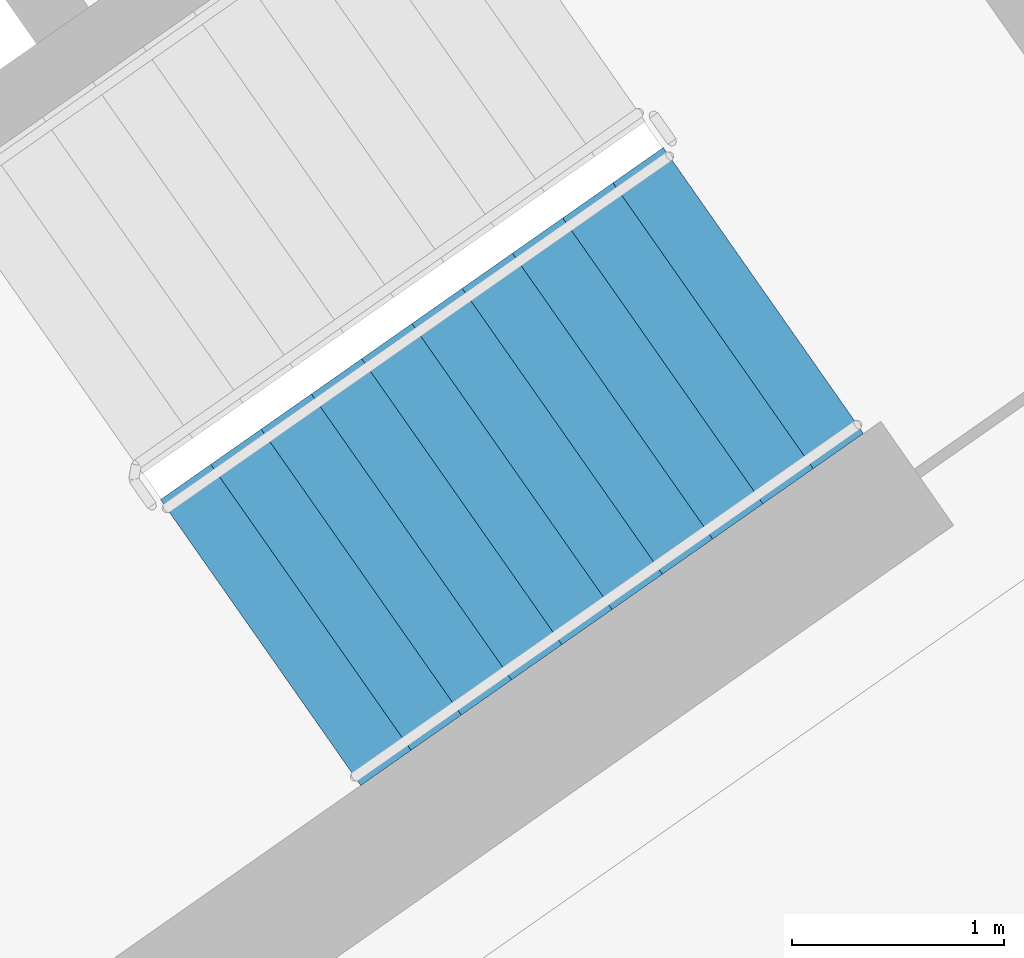
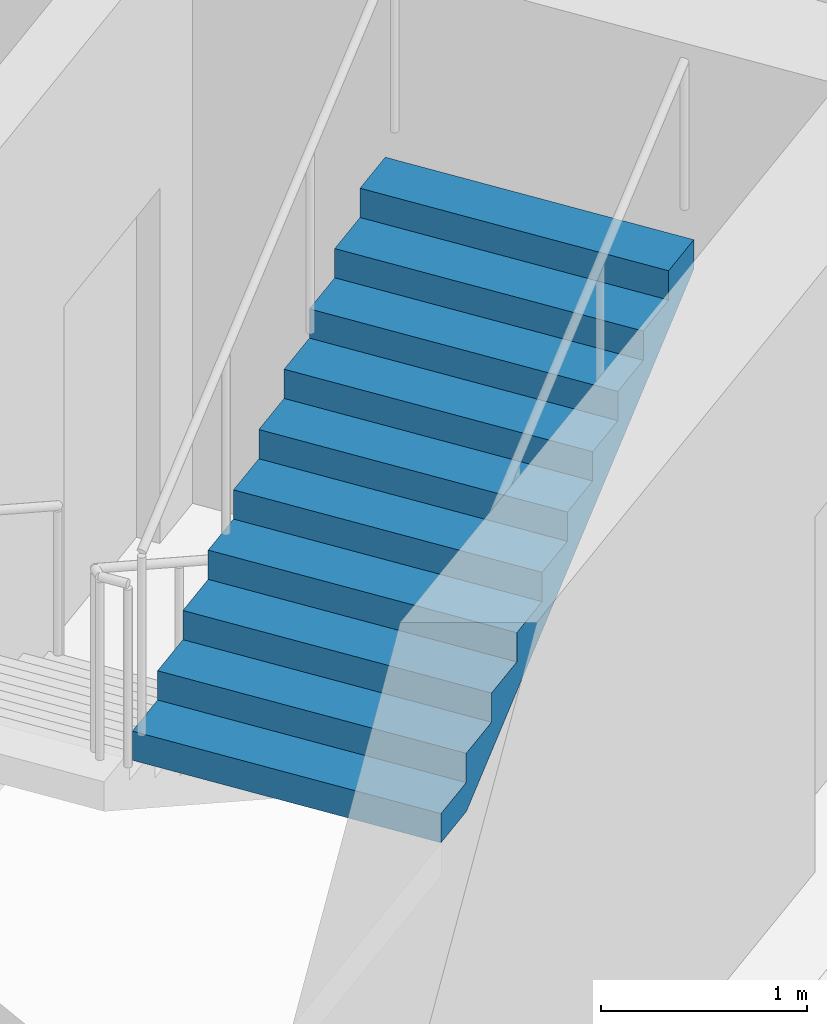
# One storey, part 13 of 29: 1 stair flight, 1 element without a shape of its own.
"""IFC4 building model written with IfcOpenShell, lengths in metres."""

from ifc_helpers import new_model, si_unit, direction, frame, origin, place, context, subcontext, project, spatial, faceted_brep, material, type_object, element, aggregate, save


model = new_model("IFC4")

# Units and contexts
model_context = context("Model", 3, precision=1e-05, world=origin(), true_north=direction((0.0, 1.0)))
body_context = subcontext(model_context, "Body", "Model", "MODEL_VIEW")
ifc_project = project(units=[si_unit("LENGTHUNIT", "METRE"), si_unit("AREAUNIT", "SQUARE_METRE"), si_unit("VOLUMEUNIT", "CUBIC_METRE"), si_unit("PLANEANGLEUNIT", "RADIAN"), si_unit("MASSUNIT", "GRAM", prefix="KILO")], contexts=[model_context])

# Site, building, storey
site_placement = place(None, origin())
site = spatial("IfcSite", under=ifc_project, at=site_placement, CompositionType="ELEMENT")
building_placement = place(site_placement, origin())
building = spatial("IfcBuilding", under=site, at=building_placement, Name="Qamariyya Broadcast Tower", CompositionType="ELEMENT")
storey_placement = place(building_placement, frame((0.0, 0.0, 207.5)))
storey = spatial("IfcBuildingStorey", under=building, at=storey_placement, Name="L49", CompositionType="ELEMENT", Elevation=207.5)

# Stair, stair flight
ifc_material = material(Name="Concrete C50/60", Category="concrete")
stair_type = type_object("IfcStairType", Name="Exit stair 22 risers of 173 mm", PredefinedType="HALF_TURN_STAIR", material=ifc_material)
stair_placement = place(storey_placement, origin())
stair = element("IfcStair", 1, at=stair_placement, inside=storey, type_object=stair_type, Name="L49 Stair E1", PredefinedType="HALF_TURN_STAIR")
stair_flight_type = type_object("IfcStairFlightType", Name="Exit stair flight 11 risers of 173 mm", PredefinedType="STRAIGHT", material=ifc_material)
stair_flight_placement = place(storey_placement, frame((44.693359375, -58.64599609375, 1.89990234375), z_axis=(0.0, 0.0, 1.0), x_axis=(0.819152044289, 0.573576436351, 0.0)))
stair_flight = element("IfcStairFlight", 2, at=stair_flight_placement, type_object=stair_flight_type, Name="ST-E1 flight 2", NumberOfRisers=11, NumberOfTreads=10, PredefinedType="STRAIGHT", RiserHeight=0.172727273, TreadLength=0.29, context=body_context, shape_type="Brep", body=[
    faceted_brep([(0.0, 0.824951171875, 0.0), (0.0, 0.824951171875, 0.172607421875), (0.2900390625, 0.824951171875, 0.172607421875), (0.2900390625, 0.824951171875, 0.345458984375), (0.580078125, 0.824951171875, 0.345458984375), (0.580078125, 0.824951171875, 0.51806640625), (0.8701171875, 0.824951171875, 0.51806640625), (0.8701171875, 0.824951171875, 0.69091796875), (1.159912109375, 0.824951171875, 0.69091796875), (1.159912109375, 0.824951171875, 0.863525390625), (1.449951171875, 0.824951171875, 0.863525390625), (1.449951171875, 0.824951171875, 1.036376953125), (1.739990234375, 0.824951171875, 1.036376953125), (1.739990234375, 0.824951171875, 1.208984375), (2.030029296875, 0.824951171875, 1.208984375), (2.030029296875, 0.824951171875, 1.3818359375), (2.320068359375, 0.824951171875, 1.3818359375), (2.320068359375, 0.824951171875, 1.554443359375), (2.610107421875, 0.824951171875, 1.554443359375), (2.610107421875, 0.824951171875, 1.727294921875), (2.89990234375, 0.824951171875, 1.727294921875), (2.89990234375, 0.824951171875, 1.552734375), (0.29296875, 0.824951171875, 0.0), (0.29296875, -0.824951171875, 0.0), (2.89990234375, -0.824951171875, 1.552734375), (2.89990234375, -0.824951171875, 1.727294921875), (2.610107421875, -0.824951171875, 1.727294921875), (2.610107421875, -0.824951171875, 1.554443359375), (2.320068359375, -0.824951171875, 1.554443359375), (2.320068359375, -0.824951171875, 1.3818359375), (2.030029296875, -0.824951171875, 1.3818359375), (2.030029296875, -0.824951171875, 1.208984375), (1.739990234375, -0.824951171875, 1.208984375), (1.739990234375, -0.824951171875, 1.036376953125), (1.449951171875, -0.824951171875, 1.036376953125), (1.449951171875, -0.824951171875, 0.863525390625), (1.159912109375, -0.824951171875, 0.863525390625), (1.159912109375, -0.824951171875, 0.69091796875), (0.8701171875, -0.824951171875, 0.69091796875), (0.8701171875, -0.824951171875, 0.51806640625), (0.580078125, -0.824951171875, 0.51806640625), (0.580078125, -0.824951171875, 0.345458984375), (0.2900390625, -0.824951171875, 0.345458984375), (0.2900390625, -0.824951171875, 0.172607421875), (0.0, -0.824951171875, 0.172607421875), (0.0, -0.824951171875, 0.0), (0.0, 0.10009765625, 0.0), (0.0, 0.086669921875, 0.0), (0.0, 0.0732421875, 0.0), (0.0, 0.06005859375, 0.0), (0.0, 0.046630859375, 0.0), (0.0, 0.033447265625, 0.0), (0.0, 0.02001953125, 0.0), (0.0, 0.006591796875, 0.0), (0.0, -0.006591796875, 0.0), (0.0, -0.02001953125, 0.0), (0.0, -0.033447265625, 0.0), (0.0, -0.046630859375, 0.0), (0.0, -0.06005859375, 0.0), (0.0, -0.0732421875, 0.0), (0.0, -0.086669921875, 0.0), (0.0, -0.10009765625, 0.0), (0.0, -0.10009765625, 0.172607421875), (0.0, -0.086669921875, 0.172607421875), (0.0, -0.0732421875, 0.172607421875), (0.0, -0.06005859375, 0.172607421875), (0.0, -0.046630859375, 0.172607421875), (0.0, -0.033447265625, 0.172607421875), (0.0, -0.02001953125, 0.172607421875), (0.0, -0.006591796875, 0.172607421875), (0.0, 0.006591796875, 0.172607421875), (0.0, 0.02001953125, 0.172607421875), (0.0, 0.033447265625, 0.172607421875), (0.0, 0.046630859375, 0.172607421875), (0.0, 0.06005859375, 0.172607421875), (0.0, 0.0732421875, 0.172607421875), (0.0, 0.086669921875, 0.172607421875), (0.0, 0.10009765625, 0.172607421875), (0.2900390625, -0.10009765625, 0.172607421875), (0.2900390625, -0.086669921875, 0.172607421875), (0.2900390625, -0.0732421875, 0.172607421875), (0.2900390625, -0.06005859375, 0.172607421875), (0.2900390625, -0.046630859375, 0.172607421875), (0.2900390625, -0.033447265625, 0.172607421875), (0.2900390625, -0.02001953125, 0.172607421875), (0.2900390625, -0.006591796875, 0.172607421875), (0.2900390625, 0.006591796875, 0.172607421875), (0.2900390625, 0.02001953125, 0.172607421875), (0.2900390625, 0.033447265625, 0.172607421875), (0.2900390625, 0.046630859375, 0.172607421875), (0.2900390625, 0.06005859375, 0.172607421875), (0.2900390625, 0.0732421875, 0.172607421875), (0.2900390625, 0.086669921875, 0.172607421875), (0.2900390625, 0.10009765625, 0.172607421875), (0.2900390625, -0.10009765625, 0.345458984375), (0.2900390625, -0.086669921875, 0.345458984375), (0.2900390625, -0.0732421875, 0.345458984375), (0.2900390625, -0.06005859375, 0.345458984375), (0.2900390625, -0.046630859375, 0.345458984375), (0.2900390625, -0.033447265625, 0.345458984375), (0.2900390625, -0.02001953125, 0.345458984375), (0.2900390625, -0.006591796875, 0.345458984375), (0.2900390625, 0.006591796875, 0.345458984375), (0.2900390625, 0.02001953125, 0.345458984375), (0.2900390625, 0.033447265625, 0.345458984375), (0.2900390625, 0.046630859375, 0.345458984375), (0.2900390625, 0.06005859375, 0.345458984375), (0.2900390625, 0.0732421875, 0.345458984375), (0.2900390625, 0.086669921875, 0.345458984375), (0.2900390625, 0.10009765625, 0.345458984375), (0.580078125, -0.10009765625, 0.345458984375), (0.580078125, -0.086669921875, 0.345458984375), (0.580078125, -0.0732421875, 0.345458984375), (0.580078125, -0.06005859375, 0.345458984375), (0.580078125, -0.046630859375, 0.345458984375), (0.580078125, -0.033447265625, 0.345458984375), (0.580078125, -0.02001953125, 0.345458984375), (0.580078125, -0.006591796875, 0.345458984375), (0.580078125, 0.006591796875, 0.345458984375), (0.580078125, 0.02001953125, 0.345458984375), (0.580078125, 0.033447265625, 0.345458984375), (0.580078125, 0.046630859375, 0.345458984375), (0.580078125, 0.06005859375, 0.345458984375), (0.580078125, 0.0732421875, 0.345458984375), (0.580078125, 0.086669921875, 0.345458984375), (0.580078125, 0.10009765625, 0.345458984375), (0.580078125, -0.10009765625, 0.51806640625), (0.580078125, -0.086669921875, 0.51806640625), (0.580078125, -0.0732421875, 0.51806640625), (0.580078125, -0.06005859375, 0.51806640625), (0.580078125, -0.046630859375, 0.51806640625), (0.580078125, -0.033447265625, 0.51806640625), (0.580078125, -0.02001953125, 0.51806640625), (0.580078125, -0.006591796875, 0.51806640625), (0.580078125, 0.006591796875, 0.51806640625), (0.580078125, 0.02001953125, 0.51806640625), (0.580078125, 0.033447265625, 0.51806640625), (0.580078125, 0.046630859375, 0.51806640625), (0.580078125, 0.06005859375, 0.51806640625), (0.580078125, 0.0732421875, 0.51806640625), (0.580078125, 0.086669921875, 0.51806640625), (0.580078125, 0.10009765625, 0.51806640625), (0.8701171875, -0.10009765625, 0.51806640625), (0.8701171875, -0.086669921875, 0.51806640625), (0.8701171875, -0.0732421875, 0.51806640625), (0.8701171875, -0.06005859375, 0.51806640625), (0.8701171875, -0.046630859375, 0.51806640625), (0.8701171875, -0.033447265625, 0.51806640625), (0.8701171875, -0.02001953125, 0.51806640625), (0.8701171875, -0.006591796875, 0.51806640625), (0.8701171875, 0.006591796875, 0.51806640625), (0.8701171875, 0.02001953125, 0.51806640625), (0.8701171875, 0.033447265625, 0.51806640625), (0.8701171875, 0.046630859375, 0.51806640625), (0.8701171875, 0.06005859375, 0.51806640625), (0.8701171875, 0.0732421875, 0.51806640625), (0.8701171875, 0.086669921875, 0.51806640625), (0.8701171875, 0.10009765625, 0.51806640625), (0.8701171875, -0.10009765625, 0.69091796875), (0.8701171875, -0.086669921875, 0.69091796875), (0.8701171875, -0.0732421875, 0.69091796875), (0.8701171875, -0.06005859375, 0.69091796875), (0.8701171875, -0.046630859375, 0.69091796875), (0.8701171875, -0.033447265625, 0.69091796875), (0.8701171875, -0.02001953125, 0.69091796875), (0.8701171875, -0.006591796875, 0.69091796875), (0.8701171875, 0.006591796875, 0.69091796875), (0.8701171875, 0.02001953125, 0.69091796875), (0.8701171875, 0.033447265625, 0.69091796875), (0.8701171875, 0.046630859375, 0.69091796875), (0.8701171875, 0.06005859375, 0.69091796875), (0.8701171875, 0.0732421875, 0.69091796875), (0.8701171875, 0.086669921875, 0.69091796875), (0.8701171875, 0.10009765625, 0.69091796875), (1.159912109375, -0.10009765625, 0.69091796875), (1.159912109375, -0.086669921875, 0.69091796875), (1.159912109375, -0.0732421875, 0.69091796875), (1.159912109375, -0.06005859375, 0.69091796875), (1.159912109375, -0.046630859375, 0.69091796875), (1.159912109375, -0.033447265625, 0.69091796875), (1.159912109375, -0.02001953125, 0.69091796875), (1.159912109375, -0.006591796875, 0.69091796875), (1.159912109375, 0.006591796875, 0.69091796875), (1.159912109375, 0.02001953125, 0.69091796875), (1.159912109375, 0.033447265625, 0.69091796875), (1.159912109375, 0.046630859375, 0.69091796875), (1.159912109375, 0.06005859375, 0.69091796875), (1.159912109375, 0.0732421875, 0.69091796875), (1.159912109375, 0.086669921875, 0.69091796875), (1.159912109375, 0.10009765625, 0.69091796875), (1.159912109375, -0.10009765625, 0.863525390625), (1.159912109375, -0.086669921875, 0.863525390625), (1.159912109375, -0.0732421875, 0.863525390625), (1.159912109375, -0.06005859375, 0.863525390625), (1.159912109375, -0.046630859375, 0.863525390625), (1.159912109375, -0.033447265625, 0.863525390625), (1.159912109375, -0.02001953125, 0.863525390625), (1.159912109375, -0.006591796875, 0.863525390625), (1.159912109375, 0.006591796875, 0.863525390625), (1.159912109375, 0.02001953125, 0.863525390625), (1.159912109375, 0.033447265625, 0.863525390625), (1.159912109375, 0.046630859375, 0.863525390625), (1.159912109375, 0.06005859375, 0.863525390625), (1.159912109375, 0.0732421875, 0.863525390625), (1.159912109375, 0.086669921875, 0.863525390625), (1.159912109375, 0.10009765625, 0.863525390625), (1.449951171875, -0.10009765625, 0.863525390625), (1.449951171875, -0.086669921875, 0.863525390625), (1.449951171875, -0.0732421875, 0.863525390625), (1.449951171875, -0.06005859375, 0.863525390625), (1.449951171875, -0.046630859375, 0.863525390625), (1.449951171875, -0.033447265625, 0.863525390625), (1.449951171875, -0.02001953125, 0.863525390625), (1.449951171875, -0.006591796875, 0.863525390625), (1.449951171875, 0.006591796875, 0.863525390625), (1.449951171875, 0.02001953125, 0.863525390625), (1.449951171875, 0.033447265625, 0.863525390625), (1.449951171875, 0.046630859375, 0.863525390625), (1.449951171875, 0.06005859375, 0.863525390625), (1.449951171875, 0.0732421875, 0.863525390625), (1.449951171875, 0.086669921875, 0.863525390625), (1.449951171875, 0.10009765625, 0.863525390625), (1.449951171875, -0.10009765625, 1.036376953125), (1.449951171875, -0.086669921875, 1.036376953125), (1.449951171875, -0.0732421875, 1.036376953125), (1.449951171875, -0.06005859375, 1.036376953125), (1.449951171875, -0.046630859375, 1.036376953125), (1.449951171875, -0.033447265625, 1.036376953125), (1.449951171875, -0.02001953125, 1.036376953125), (1.449951171875, -0.006591796875, 1.036376953125), (1.449951171875, 0.006591796875, 1.036376953125), (1.449951171875, 0.02001953125, 1.036376953125), (1.449951171875, 0.033447265625, 1.036376953125), (1.449951171875, 0.046630859375, 1.036376953125), (1.449951171875, 0.06005859375, 1.036376953125), (1.449951171875, 0.0732421875, 1.036376953125), (1.449951171875, 0.086669921875, 1.036376953125), (1.449951171875, 0.10009765625, 1.036376953125), (1.739990234375, -0.10009765625, 1.036376953125), (1.739990234375, -0.086669921875, 1.036376953125), (1.739990234375, -0.0732421875, 1.036376953125), (1.739990234375, -0.06005859375, 1.036376953125), (1.739990234375, -0.046630859375, 1.036376953125), (1.739990234375, -0.033447265625, 1.036376953125), (1.739990234375, -0.02001953125, 1.036376953125), (1.739990234375, -0.006591796875, 1.036376953125), (1.739990234375, 0.006591796875, 1.036376953125), (1.739990234375, 0.02001953125, 1.036376953125), (1.739990234375, 0.033447265625, 1.036376953125), (1.739990234375, 0.046630859375, 1.036376953125), (1.739990234375, 0.06005859375, 1.036376953125), (1.739990234375, 0.0732421875, 1.036376953125), (1.739990234375, 0.086669921875, 1.036376953125), (1.739990234375, 0.10009765625, 1.036376953125), (1.739990234375, -0.10009765625, 1.208984375), (1.739990234375, -0.086669921875, 1.208984375), (1.739990234375, -0.0732421875, 1.208984375), (1.739990234375, -0.06005859375, 1.208984375), (1.739990234375, -0.046630859375, 1.208984375), (1.739990234375, -0.033447265625, 1.208984375), (1.739990234375, -0.02001953125, 1.208984375), (1.739990234375, -0.006591796875, 1.208984375), (1.739990234375, 0.006591796875, 1.208984375), (1.739990234375, 0.02001953125, 1.208984375), (1.739990234375, 0.033447265625, 1.208984375), (1.739990234375, 0.046630859375, 1.208984375), (1.739990234375, 0.06005859375, 1.208984375), (1.739990234375, 0.0732421875, 1.208984375), (1.739990234375, 0.086669921875, 1.208984375), (1.739990234375, 0.10009765625, 1.208984375), (2.030029296875, -0.10009765625, 1.208984375), (2.030029296875, -0.086669921875, 1.208984375), (2.030029296875, -0.0732421875, 1.208984375), (2.030029296875, -0.06005859375, 1.208984375), (2.030029296875, -0.046630859375, 1.208984375), (2.030029296875, -0.033447265625, 1.208984375), (2.030029296875, -0.02001953125, 1.208984375), (2.030029296875, -0.006591796875, 1.208984375), (2.030029296875, 0.006591796875, 1.208984375), (2.030029296875, 0.02001953125, 1.208984375), (2.030029296875, 0.033447265625, 1.208984375), (2.030029296875, 0.046630859375, 1.208984375), (2.030029296875, 0.06005859375, 1.208984375), (2.030029296875, 0.0732421875, 1.208984375), (2.030029296875, 0.086669921875, 1.208984375), (2.030029296875, 0.10009765625, 1.208984375), (2.030029296875, -0.10009765625, 1.3818359375), (2.030029296875, -0.086669921875, 1.3818359375), (2.030029296875, -0.0732421875, 1.3818359375), (2.030029296875, -0.06005859375, 1.3818359375), (2.030029296875, -0.046630859375, 1.3818359375), (2.030029296875, -0.033447265625, 1.3818359375), (2.030029296875, -0.02001953125, 1.3818359375), (2.030029296875, -0.006591796875, 1.3818359375), (2.030029296875, 0.006591796875, 1.3818359375), (2.030029296875, 0.02001953125, 1.3818359375), (2.030029296875, 0.033447265625, 1.3818359375), (2.030029296875, 0.046630859375, 1.3818359375), (2.030029296875, 0.06005859375, 1.3818359375), (2.030029296875, 0.0732421875, 1.3818359375), (2.030029296875, 0.086669921875, 1.3818359375), (2.030029296875, 0.10009765625, 1.3818359375), (2.320068359375, -0.10009765625, 1.3818359375), (2.320068359375, -0.086669921875, 1.3818359375), (2.320068359375, -0.0732421875, 1.3818359375), (2.320068359375, -0.06005859375, 1.3818359375), (2.320068359375, -0.046630859375, 1.3818359375), (2.320068359375, -0.033447265625, 1.3818359375), (2.320068359375, -0.02001953125, 1.3818359375), (2.320068359375, -0.006591796875, 1.3818359375), (2.320068359375, 0.006591796875, 1.3818359375), (2.320068359375, 0.02001953125, 1.3818359375), (2.320068359375, 0.033447265625, 1.3818359375), (2.320068359375, 0.046630859375, 1.3818359375), (2.320068359375, 0.06005859375, 1.3818359375), (2.320068359375, 0.0732421875, 1.3818359375), (2.320068359375, 0.086669921875, 1.3818359375), (2.320068359375, 0.10009765625, 1.3818359375), (2.320068359375, -0.10009765625, 1.554443359375), (2.320068359375, -0.086669921875, 1.554443359375), (2.320068359375, -0.0732421875, 1.554443359375), (2.320068359375, -0.06005859375, 1.554443359375), (2.320068359375, -0.046630859375, 1.554443359375), (2.320068359375, -0.033447265625, 1.554443359375), (2.320068359375, -0.02001953125, 1.554443359375), (2.320068359375, -0.006591796875, 1.554443359375), (2.320068359375, 0.006591796875, 1.554443359375), (2.320068359375, 0.02001953125, 1.554443359375), (2.320068359375, 0.033447265625, 1.554443359375), (2.320068359375, 0.046630859375, 1.554443359375), (2.320068359375, 0.06005859375, 1.554443359375), (2.320068359375, 0.0732421875, 1.554443359375), (2.320068359375, 0.086669921875, 1.554443359375), (2.320068359375, 0.10009765625, 1.554443359375), (2.610107421875, -0.10009765625, 1.554443359375), (2.610107421875, -0.086669921875, 1.554443359375), (2.610107421875, -0.0732421875, 1.554443359375), (2.610107421875, -0.06005859375, 1.554443359375), (2.610107421875, -0.046630859375, 1.554443359375), (2.610107421875, -0.033447265625, 1.554443359375), (2.610107421875, -0.02001953125, 1.554443359375), (2.610107421875, -0.006591796875, 1.554443359375), (2.610107421875, 0.006591796875, 1.554443359375), (2.610107421875, 0.02001953125, 1.554443359375), (2.610107421875, 0.033447265625, 1.554443359375), (2.610107421875, 0.046630859375, 1.554443359375), (2.610107421875, 0.06005859375, 1.554443359375), (2.610107421875, 0.0732421875, 1.554443359375), (2.610107421875, 0.086669921875, 1.554443359375), (2.610107421875, 0.10009765625, 1.554443359375), (2.610107421875, -0.10009765625, 1.727294921875), (2.610107421875, -0.086669921875, 1.727294921875), (2.610107421875, -0.0732421875, 1.727294921875), (2.610107421875, -0.06005859375, 1.727294921875), (2.610107421875, -0.046630859375, 1.727294921875), (2.610107421875, -0.033447265625, 1.727294921875), (2.610107421875, -0.02001953125, 1.727294921875), (2.610107421875, -0.006591796875, 1.727294921875), (2.610107421875, 0.006591796875, 1.727294921875), (2.610107421875, 0.02001953125, 1.727294921875), (2.610107421875, 0.033447265625, 1.727294921875), (2.610107421875, 0.046630859375, 1.727294921875), (2.610107421875, 0.06005859375, 1.727294921875), (2.610107421875, 0.0732421875, 1.727294921875), (2.610107421875, 0.086669921875, 1.727294921875), (2.610107421875, 0.10009765625, 1.727294921875), (2.89990234375, -0.10009765625, 1.727294921875), (2.89990234375, -0.086669921875, 1.727294921875), (2.89990234375, -0.0732421875, 1.727294921875), (2.89990234375, -0.06005859375, 1.727294921875), (2.89990234375, -0.046630859375, 1.727294921875), (2.89990234375, -0.033447265625, 1.727294921875), (2.89990234375, -0.02001953125, 1.727294921875), (2.89990234375, -0.006591796875, 1.727294921875), (2.89990234375, 0.006591796875, 1.727294921875), (2.89990234375, 0.02001953125, 1.727294921875), (2.89990234375, 0.033447265625, 1.727294921875), (2.89990234375, 0.046630859375, 1.727294921875), (2.89990234375, 0.06005859375, 1.727294921875), (2.89990234375, 0.0732421875, 1.727294921875), (2.89990234375, 0.086669921875, 1.727294921875), (2.89990234375, 0.10009765625, 1.727294921875), (2.89990234375, -0.10009765625, 1.552734375), (2.89990234375, -0.086669921875, 1.552734375), (2.89990234375, -0.0732421875, 1.552734375), (2.89990234375, -0.06005859375, 1.552734375), (2.89990234375, -0.046630859375, 1.552734375), (2.89990234375, -0.033447265625, 1.552734375), (2.89990234375, -0.02001953125, 1.552734375), (2.89990234375, -0.006591796875, 1.552734375), (2.89990234375, 0.006591796875, 1.552734375), (2.89990234375, 0.02001953125, 1.552734375), (2.89990234375, 0.033447265625, 1.552734375), (2.89990234375, 0.046630859375, 1.552734375), (2.89990234375, 0.06005859375, 1.552734375), (2.89990234375, 0.0732421875, 1.552734375), (2.89990234375, 0.086669921875, 1.552734375), (2.89990234375, 0.10009765625, 1.552734375), (0.29296875, -0.10009765625, 0.0), (0.29296875, -0.086669921875, 0.0), (0.29296875, -0.0732421875, 0.0), (0.29296875, -0.06005859375, 0.0), (0.29296875, -0.046630859375, 0.0), (0.29296875, -0.033447265625, 0.0), (0.29296875, -0.02001953125, 0.0), (0.29296875, -0.006591796875, 0.0), (0.29296875, 0.006591796875, 0.0), (0.29296875, 0.02001953125, 0.0), (0.29296875, 0.033447265625, 0.0), (0.29296875, 0.046630859375, 0.0), (0.29296875, 0.06005859375, 0.0), (0.29296875, 0.0732421875, 0.0), (0.29296875, 0.086669921875, 0.0), (0.29296875, 0.10009765625, 0.0)], [[[0, 1, 2, 3, 4, 5, 6, 7, 8, 9, 10, 11, 12, 13, 14, 15, 16, 17, 18, 19, 20, 21, 22]], [[23, 24, 25, 26, 27, 28, 29, 30, 31, 32, 33, 34, 35, 36, 37, 38, 39, 40, 41, 42, 43, 44, 45]], [[0, 46, 47, 48, 49, 50, 51, 52, 53, 54, 55, 56, 57, 58, 59, 60, 61, 45, 44, 62, 63, 64, 65, 66, 67, 68, 69, 70, 71, 72, 73, 74, 75, 76, 77, 1]], [[1, 77, 76, 75, 74, 73, 72, 71, 70, 69, 68, 67, 66, 65, 64, 63, 62, 44, 43, 78, 79, 80, 81, 82, 83, 84, 85, 86, 87, 88, 89, 90, 91, 92, 93, 2]], [[2, 93, 92, 91, 90, 89, 88, 87, 86, 85, 84, 83, 82, 81, 80, 79, 78, 43, 42, 94, 95, 96, 97, 98, 99, 100, 101, 102, 103, 104, 105, 106, 107, 108, 109, 3]], [[3, 109, 108, 107, 106, 105, 104, 103, 102, 101, 100, 99, 98, 97, 96, 95, 94, 42, 41, 110, 111, 112, 113, 114, 115, 116, 117, 118, 119, 120, 121, 122, 123, 124, 125, 4]], [[4, 125, 124, 123, 122, 121, 120, 119, 118, 117, 116, 115, 114, 113, 112, 111, 110, 41, 40, 126, 127, 128, 129, 130, 131, 132, 133, 134, 135, 136, 137, 138, 139, 140, 141, 5]], [[5, 141, 140, 139, 138, 137, 136, 135, 134, 133, 132, 131, 130, 129, 128, 127, 126, 40, 39, 142, 143, 144, 145, 146, 147, 148, 149, 150, 151, 152, 153, 154, 155, 156, 157, 6]], [[6, 157, 156, 155, 154, 153, 152, 151, 150, 149, 148, 147, 146, 145, 144, 143, 142, 39, 38, 158, 159, 160, 161, 162, 163, 164, 165, 166, 167, 168, 169, 170, 171, 172, 173, 7]], [[7, 173, 172, 171, 170, 169, 168, 167, 166, 165, 164, 163, 162, 161, 160, 159, 158, 38, 37, 174, 175, 176, 177, 178, 179, 180, 181, 182, 183, 184, 185, 186, 187, 188, 189, 8]], [[8, 189, 188, 187, 186, 185, 184, 183, 182, 181, 180, 179, 178, 177, 176, 175, 174, 37, 36, 190, 191, 192, 193, 194, 195, 196, 197, 198, 199, 200, 201, 202, 203, 204, 205, 9]], [[9, 205, 204, 203, 202, 201, 200, 199, 198, 197, 196, 195, 194, 193, 192, 191, 190, 36, 35, 206, 207, 208, 209, 210, 211, 212, 213, 214, 215, 216, 217, 218, 219, 220, 221, 10]], [[10, 221, 220, 219, 218, 217, 216, 215, 214, 213, 212, 211, 210, 209, 208, 207, 206, 35, 34, 222, 223, 224, 225, 226, 227, 228, 229, 230, 231, 232, 233, 234, 235, 236, 237, 11]], [[11, 237, 236, 235, 234, 233, 232, 231, 230, 229, 228, 227, 226, 225, 224, 223, 222, 34, 33, 238, 239, 240, 241, 242, 243, 244, 245, 246, 247, 248, 249, 250, 251, 252, 253, 12]], [[12, 253, 252, 251, 250, 249, 248, 247, 246, 245, 244, 243, 242, 241, 240, 239, 238, 33, 32, 254, 255, 256, 257, 258, 259, 260, 261, 262, 263, 264, 265, 266, 267, 268, 269, 13]], [[13, 269, 268, 267, 266, 265, 264, 263, 262, 261, 260, 259, 258, 257, 256, 255, 254, 32, 31, 270, 271, 272, 273, 274, 275, 276, 277, 278, 279, 280, 281, 282, 283, 284, 285, 14]], [[14, 285, 284, 283, 282, 281, 280, 279, 278, 277, 276, 275, 274, 273, 272, 271, 270, 31, 30, 286, 287, 288, 289, 290, 291, 292, 293, 294, 295, 296, 297, 298, 299, 300, 301, 15]], [[15, 301, 300, 299, 298, 297, 296, 295, 294, 293, 292, 291, 290, 289, 288, 287, 286, 30, 29, 302, 303, 304, 305, 306, 307, 308, 309, 310, 311, 312, 313, 314, 315, 316, 317, 16]], [[16, 317, 316, 315, 314, 313, 312, 311, 310, 309, 308, 307, 306, 305, 304, 303, 302, 29, 28, 318, 319, 320, 321, 322, 323, 324, 325, 326, 327, 328, 329, 330, 331, 332, 333, 17]], [[17, 333, 332, 331, 330, 329, 328, 327, 326, 325, 324, 323, 322, 321, 320, 319, 318, 28, 27, 334, 335, 336, 337, 338, 339, 340, 341, 342, 343, 344, 345, 346, 347, 348, 349, 18]], [[18, 349, 348, 347, 346, 345, 344, 343, 342, 341, 340, 339, 338, 337, 336, 335, 334, 27, 26, 350, 351, 352, 353, 354, 355, 356, 357, 358, 359, 360, 361, 362, 363, 364, 365, 19]], [[19, 365, 364, 363, 362, 361, 360, 359, 358, 357, 356, 355, 354, 353, 352, 351, 350, 26, 25, 366, 367, 368, 369, 370, 371, 372, 373, 374, 375, 376, 377, 378, 379, 380, 381, 20]], [[20, 381, 380, 379, 378, 377, 376, 375, 374, 373, 372, 371, 370, 369, 368, 367, 366, 25, 24, 382, 383, 384, 385, 386, 387, 388, 389, 390, 391, 392, 393, 394, 395, 396, 397, 21]], [[21, 397, 396, 395, 394, 393, 392, 391, 390, 389, 388, 387, 386, 385, 384, 383, 382, 24, 23, 398, 399, 400, 401, 402, 403, 404, 405, 406, 407, 408, 409, 410, 411, 412, 413, 22]], [[22, 413, 412, 411, 410, 409, 408, 407, 406, 405, 404, 403, 402, 401, 400, 399, 398, 23, 45, 61, 60, 59, 58, 57, 56, 55, 54, 53, 52, 51, 50, 49, 48, 47, 46, 0]]]),
])
aggregate(stair, [stair_flight])

save(model, "model.ifc")
